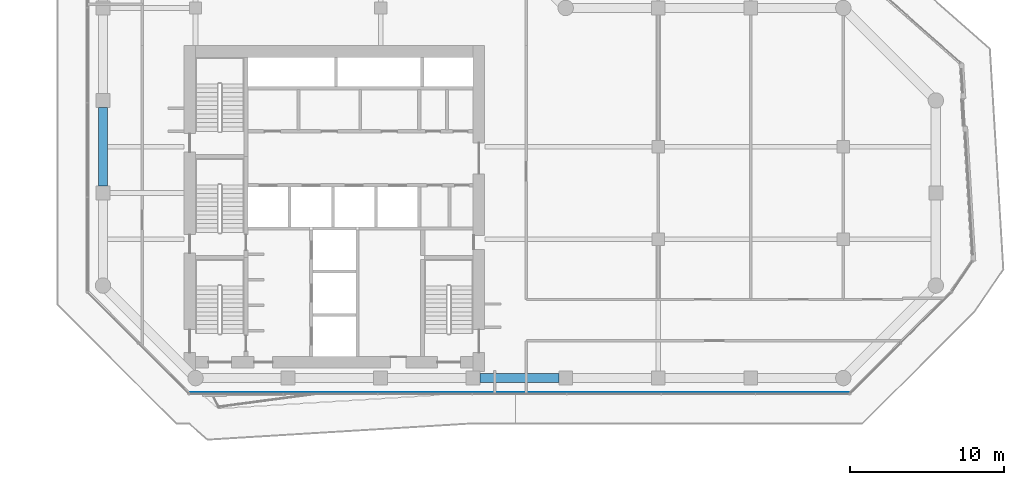
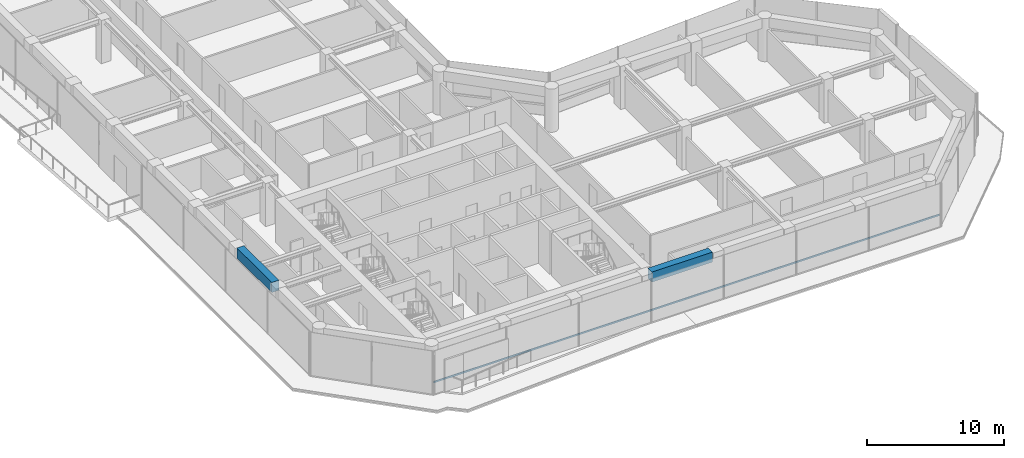
# One storey, part 3 of 23: 2 beams, 1 member, 1 element without a shape of its own.
"""IFC4 building model written with IfcOpenShell, lengths in metres."""

from ifc_helpers import new_model, si_unit, direction, frame, origin, origin_2d, place, context, subcontext, project, spatial, rectangle, extrude, material, layer, layer_set, material_profile, profile_set, type_object, element, aggregate, save


model = new_model("IFC4")

# Units and contexts
model_context = context("Model", 3, precision=1e-05, world=origin(), true_north=direction((0.0, 1.0)))
body_context = subcontext(model_context, "Body", "Model", "MODEL_VIEW")
ifc_project = project(units=[si_unit("LENGTHUNIT", "METRE"), si_unit("AREAUNIT", "SQUARE_METRE"), si_unit("VOLUMEUNIT", "CUBIC_METRE"), si_unit("PLANEANGLEUNIT", "RADIAN"), si_unit("MASSUNIT", "GRAM", prefix="KILO")], contexts=[model_context])

# Site, building, storey
site_placement = place(None, origin())
site = spatial("IfcSite", under=ifc_project, at=site_placement, CompositionType="ELEMENT")
building_placement = place(site_placement, origin())
building = spatial("IfcBuilding", under=site, at=building_placement, Name="Welwitschia Terrace Campus", CompositionType="ELEMENT")
storey_placement = place(building_placement, frame((0.0, 0.0, 96.199951171875)))
storey = spatial("IfcBuildingStorey", under=building, at=storey_placement, Name="L21", CompositionType="ELEMENT", Elevation=96.199951171875)

# Beams
ifc_material_1 = material(Name="Concrete C60/75", Category="concrete")
ifc_material_profile_1 = material_profile(ifc_material_1, rectangle(XDim=0.60009765625, YDim=0.89990234375, at=origin_2d()))
ifc_profile_set_1 = profile_set([ifc_material_profile_1], Name="Concrete C60/75")
beam_type = type_object("IfcBeamType", Name="Ring spandrel 600x900", PredefinedType="SPANDREL", material=ifc_profile_set_1)
for number, where, z_axis, x_axis, name in (
    (1, (24.450439453125, 4.0, 3.400146484375), (1.0, 0.0, 0.0), (0.0, 1.0, 0.0), "Spandrel SP2"),
    (2, (0.0, 21.549560546875, 3.400146484375), (0.0, -1.0, 0.0), (1.0, 0.0, 0.0), "Spandrel SP2"),
):
    element("IfcBeam", number, at=place(storey_placement, frame(where, z_axis=z_axis, x_axis=x_axis)), inside=storey, type_object=beam_type, Name=name, PredefinedType="SPANDREL", context=body_context, shape_type="SweptSolid", body=[
        extrude(rectangle(XDim=0.60009765625, YDim=0.89990234375, at=origin_2d()), origin(), (0.0, 0.0, 1.0), 5.09912109375),
    ])

# Curtain wall, member
ifc_material_2 = material(Name="Bronze anodised aluminium", Category="aluminium")
ifc_layer = layer(ifc_material_2, 0.1201171875)
ifc_layer_set = layer_set([ifc_layer], Name="Bronze anodised aluminium")
curtain_wall_type = type_object("IfcCurtainWallType", Name="Curtain wall CW2 tower 6000", PredefinedType="NOTDEFINED", material=ifc_layer_set)
curtain_wall_placement = place(storey_placement, origin())
curtain_wall = element("IfcCurtainWall", 3, at=curtain_wall_placement, inside=storey, type_object=curtain_wall_type, Name="CW L21.1.0", PredefinedType="NOTDEFINED")
ifc_material_3 = material(Name="Bronze anodised aluminium", Category="aluminium")
ifc_material_profile_2 = material_profile(ifc_material_3, rectangle(XDim=0.06005859375, YDim=0.14990234375, at=origin_2d()))
ifc_profile_set_2 = profile_set([ifc_material_profile_2], Name="Bronze anodised aluminium")
member_type = type_object("IfcMemberType", Name="Transom 60x150", PredefinedType="USERDEFINED", material=ifc_profile_set_2)
member_placement = place(storey_placement, frame((5.63330078125, 3.06005859375, 1.0), z_axis=(1.0, 0.0, 0.0), x_axis=(0.0, 1.0, 0.0)))
member = element("IfcMember", 4, at=member_placement, type_object=member_type, Name="Transom L21.1.0", ObjectType="TRANSOM", PredefinedType="USERDEFINED", context=body_context, shape_type="SweptSolid", body=[
    extrude(rectangle(XDim=0.06005859375, YDim=0.14990234375, at=origin_2d()), origin(), (0.0, 0.0, 1.0), 42.7333984375),
])
aggregate(curtain_wall, [member])

save(model, "model.ifc")
